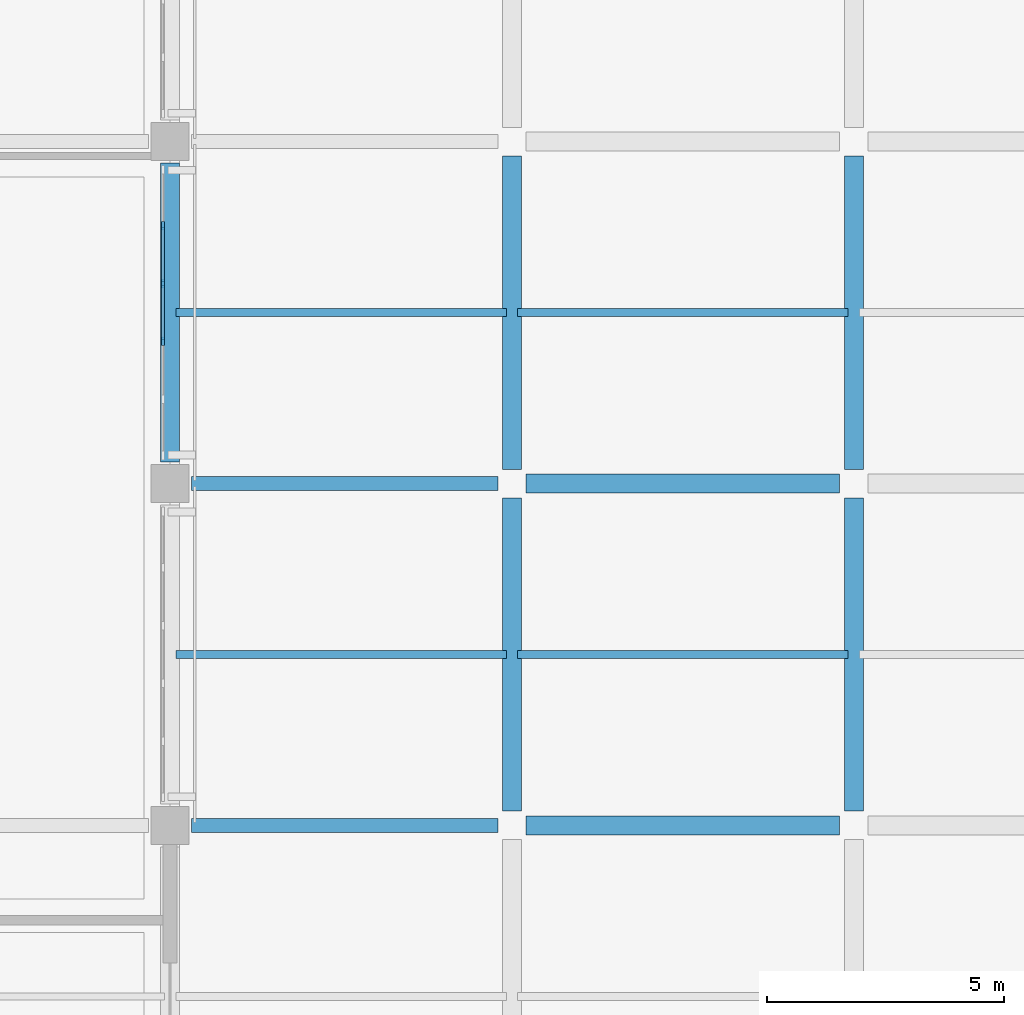
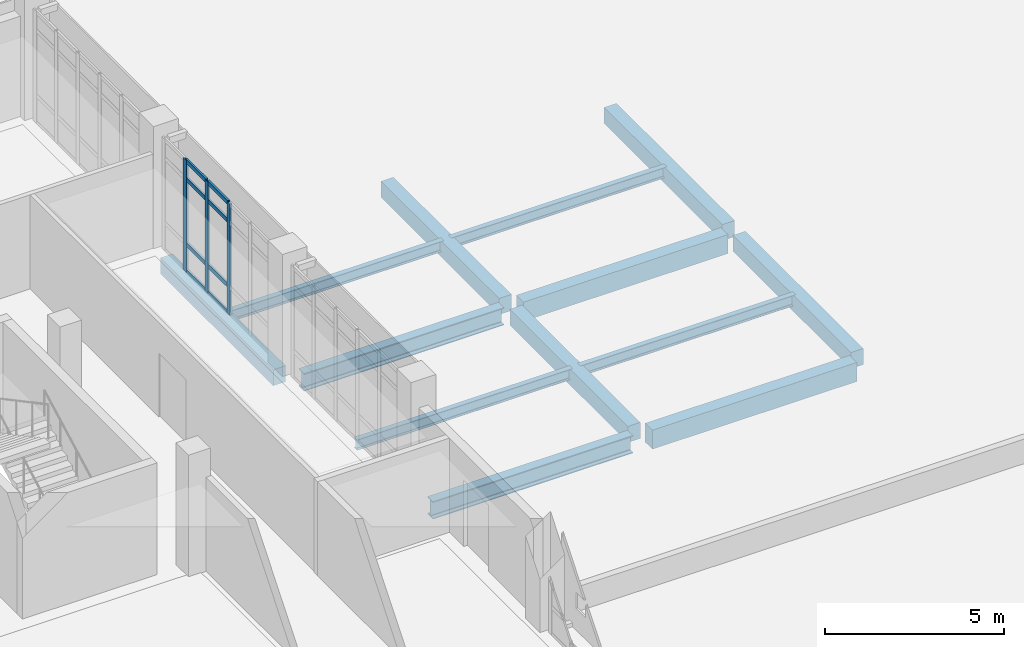
# One storey, part 10 of 51: 13 beams, 11 members, 1 element without a shape of its own.
"""IFC4 building model written with IfcOpenShell, lengths in metres."""

from ifc_helpers import new_model, si_unit, direction, frame, origin, origin_2d, place, context, subcontext, project, spatial, rectangle, i_section, extrude, material, layer, layer_set, material_profile, profile_set, type_object, element, aggregate, save


model = new_model("IFC4")

# Units and contexts
model_context = context("Model", 3, precision=1e-05, world=origin(), true_north=direction((0.0, 1.0)))
body_context = subcontext(model_context, "Body", "Model", "MODEL_VIEW")
ifc_project = project(units=[si_unit("LENGTHUNIT", "METRE"), si_unit("AREAUNIT", "SQUARE_METRE"), si_unit("VOLUMEUNIT", "CUBIC_METRE"), si_unit("PLANEANGLEUNIT", "RADIAN"), si_unit("MASSUNIT", "GRAM", prefix="KILO")], contexts=[model_context])

# Site, building, storey
site_placement = place(None, origin())
site = spatial("IfcSite", under=ifc_project, at=site_placement, CompositionType="ELEMENT")
building_placement = place(site_placement, origin())
building = spatial("IfcBuilding", under=site, at=building_placement, Name="Valkovuoma Quantum and Materials Research Institute", CompositionType="ELEMENT")
storey_placement = place(building_placement, frame((0.0, 0.0, 17.280029296875)))
storey = spatial("IfcBuildingStorey", under=building, at=storey_placement, Name="L04", CompositionType="ELEMENT", Elevation=17.280029296875)

# Beams
ifc_material_1 = material(Name="Steel S355J2", Category="steel")
ifc_material_profile_1 = material_profile(ifc_material_1, i_section(OverallWidth=0.300048828125, OverallDepth=0.60009765625, WebThickness=0.015380859375, FlangeThickness=0.030029296875, FilletRadius=0.027099609375, at=origin_2d()), Name="Steel S355J2")
ifc_profile_set_1 = profile_set([ifc_material_profile_1], Name="Steel S355J2")
beam_type_1 = type_object("IfcBeamType", Name="Beam-B-HEB600", PredefinedType="BEAM", material=ifc_profile_set_1)
for number, where, z_axis, x_axis, name in (
    (1, (14.85009765625, 72.0, -0.650146484375), (1.0, 0.0, 0.0), (0.0, 1.0, 0.0), "L04 beam X-1854"),
    (2, (14.85009765625, 79.199951171875, -0.650146484375), (1.0, 0.0, 0.0), (0.0, 1.0, 0.0), "L04 beam X-1863"),
):
    element("IfcBeam", number, at=place(storey_placement, frame(where, z_axis=z_axis, x_axis=x_axis)), inside=storey, type_object=beam_type_1, Name=name, PredefinedType="BEAM", context=body_context, shape_type="SweptSolid", body=[
        extrude(i_section(OverallWidth=0.300048828125, OverallDepth=0.60009765625, WebThickness=0.015380859375, FlangeThickness=0.030029296875, FilletRadius=0.027099609375, at=origin_2d()), origin(), (0.0, 0.0, 1.0), 6.449951171875),
    ])
ifc_material_2 = material(Name="Steel S355J2", Category="steel")
ifc_material_profile_2 = material_profile(ifc_material_2, i_section(OverallWidth=0.169921875, OverallDepth=0.360107421875, WebThickness=0.008056640625, FlangeThickness=0.0126953125, FilletRadius=0.01806640625, at=origin_2d()), Name="Steel S355J2")
ifc_profile_set_2 = profile_set([ifc_material_profile_2], Name="Steel S355J2")
beam_type_2 = type_object("IfcBeamType", Name="Beam-B-JST360", PredefinedType="JOIST", material=ifc_profile_set_2)
for number, where, z_axis, x_axis, name in (
    (3, (14.52001953125, 75.60009765625, -0.530029296875), (1.0, 0.0, 0.0), (0.0, 1.0, 0.0), "L04 floor joist 2056"),
    (4, (21.719970703125, 75.60009765625, -0.530029296875), (1.0, 0.0, 0.0), (0.0, 1.0, 0.0), "L04 floor joist 2057"),
    (5, (14.52001953125, 82.800048828125, -0.530029296875), (1.0, 0.0, 0.0), (0.0, 1.0, 0.0), "L04 floor joist 2065"),
    (6, (21.719970703125, 82.800048828125, -0.530029296875), (1.0, 0.0, 0.0), (0.0, 1.0, 0.0), "L04 floor joist 2066"),
):
    element("IfcBeam", number, at=place(storey_placement, frame(where, z_axis=z_axis, x_axis=x_axis)), inside=storey, type_object=beam_type_2, Name=name, PredefinedType="JOIST", context=body_context, shape_type="SweptSolid", body=[
        extrude(i_section(OverallWidth=0.169921875, OverallDepth=0.360107421875, WebThickness=0.008056640625, FlangeThickness=0.0126953125, FilletRadius=0.01806640625, at=origin_2d()), origin(), (0.0, 0.0, 1.0), 6.9599609375),
    ])
ifc_material_3 = material(Name="Concrete C40/50", Category="concrete")
ifc_material_profile_3 = material_profile(ifc_material_3, rectangle(XDim=0.39990234375, YDim=0.550048828125, at=origin_2d()), Name="Concrete C40/50")
ifc_profile_set_3 = profile_set([ifc_material_profile_3], Name="Concrete C40/50")
beam_type_3 = type_object("IfcBeamType", Name="Beam-B-RC550", PredefinedType="BEAM", material=ifc_profile_set_3)
beam_1_placement = place(storey_placement, frame((14.39990234375, 79.64990234375, -0.625), z_axis=(0.0, 1.0, 0.0), x_axis=(-1.0, 0.0, 0.0)))
element("IfcBeam", 7, at=beam_1_placement, inside=storey, type_object=beam_type_3, Name="L04 beam Y-1928", PredefinedType="BEAM", context=body_context, shape_type="SweptSolid", body=[
    extrude(rectangle(XDim=0.39990234375, YDim=0.550048828125, at=origin_2d()), origin(), (0.0, 0.0, 1.0), 6.300048828125),
])
beam_2_placement = place(storey_placement, frame((21.60009765625, 72.300048828125, -0.625), z_axis=(0.0, 1.0, 0.0), x_axis=(-1.0, 0.0, 0.0)))
element("IfcBeam", 8, at=beam_2_placement, inside=storey, type_object=beam_type_3, Name="L04 beam Y-1933", PredefinedType="BEAM", context=body_context, shape_type="SweptSolid", body=[
    extrude(rectangle(XDim=0.39990234375, YDim=0.550048828125, at=origin_2d()), origin(), (0.0, 0.0, 1.0), 6.599853515625),
])
beam_3_placement = place(storey_placement, frame((21.60009765625, 79.5, -0.625), z_axis=(0.0, 1.0, 0.0), x_axis=(-1.0, 0.0, 0.0)))
element("IfcBeam", 9, at=beam_3_placement, inside=storey, type_object=beam_type_3, Name="L04 beam Y-1934", PredefinedType="BEAM", context=body_context, shape_type="SweptSolid", body=[
    extrude(rectangle(XDim=0.39990234375, YDim=0.550048828125, at=origin_2d()), origin(), (0.0, 0.0, 1.0), 6.60009765625),
])
beam_4_placement = place(storey_placement, frame((28.800048828125, 72.300048828125, -0.625), z_axis=(0.0, 1.0, 0.0), x_axis=(-1.0, 0.0, 0.0)))
element("IfcBeam", 10, at=beam_4_placement, inside=storey, type_object=beam_type_3, Name="L04 beam Y-1939", PredefinedType="BEAM", context=body_context, shape_type="SweptSolid", body=[
    extrude(rectangle(XDim=0.39990234375, YDim=0.550048828125, at=origin_2d()), origin(), (0.0, 0.0, 1.0), 6.599853515625),
])
beam_5_placement = place(storey_placement, frame((28.800048828125, 79.5, -0.625), z_axis=(0.0, 1.0, 0.0), x_axis=(-1.0, 0.0, 0.0)))
element("IfcBeam", 11, at=beam_5_placement, inside=storey, type_object=beam_type_3, Name="L04 beam Y-1940", PredefinedType="BEAM", context=body_context, shape_type="SweptSolid", body=[
    extrude(rectangle(XDim=0.39990234375, YDim=0.550048828125, at=origin_2d()), origin(), (0.0, 0.0, 1.0), 6.60009765625),
])
ifc_material_4 = material(Name="Concrete C40/50", Category="concrete")
ifc_material_profile_4 = material_profile(ifc_material_4, rectangle(XDim=0.39990234375, YDim=0.64990234375, at=origin_2d()), Name="Concrete C40/50")
ifc_profile_set_4 = profile_set([ifc_material_profile_4], Name="Concrete C40/50")
beam_type_4 = type_object("IfcBeamType", Name="Beam-B-RC650", PredefinedType="BEAM", material=ifc_profile_set_4)
for number, where, z_axis, x_axis, name in (
    (12, (21.89990234375, 72.0, -0.675048828125), (1.0, 0.0, 0.0), (0.0, 1.0, 0.0), "L04 beam X-1855"),
    (13, (21.89990234375, 79.199951171875, -0.675048828125), (1.0, 0.0, 0.0), (0.0, 1.0, 0.0), "L04 beam X-1864"),
):
    element("IfcBeam", number, at=place(storey_placement, frame(where, z_axis=z_axis, x_axis=x_axis)), inside=storey, type_object=beam_type_4, Name=name, PredefinedType="BEAM", context=body_context, shape_type="SweptSolid", body=[
        extrude(rectangle(XDim=0.39990234375, YDim=0.64990234375, at=origin_2d()), origin(), (0.0, 0.0, 1.0), 6.60009765625),
    ])

# Curtain wall, members
ifc_material_5 = material(Name="Thermally broken aluminium and triple low-E glazing", Category="aluminium")
ifc_layer = layer(ifc_material_5, 0.219970703125)
ifc_layer_set = layer_set([ifc_layer], Name="Thermally broken aluminium and triple low-E glazing")
curtain_wall_type = type_object("IfcCurtainWallType", Name="CW-CW-01", PredefinedType="NOTDEFINED", material=ifc_layer_set)
curtain_wall_placement = place(storey_placement, origin())
curtain_wall = element("IfcCurtainWall", 14, at=curtain_wall_placement, inside=storey, type_object=curtain_wall_type, Name="L04 curtain wall 052", PredefinedType="NOTDEFINED")
ifc_material_6 = material(Name="Anodised aluminium 6060-T66", Category="aluminium")
ifc_material_profile_5 = material_profile(ifc_material_6, rectangle(XDim=0.06494140625, YDim=0.179931640625, at=origin_2d()), Name="Anodised aluminium 6060-T66")
ifc_profile_set_5 = profile_set([ifc_material_profile_5], Name="Anodised aluminium 6060-T66")
member_type_1 = type_object("IfcMemberType", Name="CWMull-CWM-01", PredefinedType="MULLION", material=ifc_profile_set_5)
member_1_placement = place(storey_placement, frame((14.25, 82.19140625, 0.0), z_axis=(0.0, 0.0, 1.0), x_axis=(-1.0, 0.0, 0.0)))
member_1 = element("IfcMember", 15, at=member_1_placement, type_object=member_type_1, Name="CW-01 mullion 3", PredefinedType="MULLION", context=body_context, shape_type="SweptSolid", body=[
    extrude(rectangle(XDim=0.06494140625, YDim=0.179931640625, at=origin_2d()), origin(), (0.0, 0.0, 1.0), 3.81005859375),
])
member_2_placement = place(storey_placement, frame((14.25, 83.40869140625, 0.0), z_axis=(0.0, 0.0, 1.0), x_axis=(-1.0, 0.0, 0.0)))
member_2 = element("IfcMember", 16, at=member_2_placement, type_object=member_type_1, Name="CW-01 mullion 4", PredefinedType="MULLION", context=body_context, shape_type="SweptSolid", body=[
    extrude(rectangle(XDim=0.06494140625, YDim=0.179931640625, at=origin_2d()), origin(), (0.0, 0.0, 1.0), 3.81005859375),
])
member_3_placement = place(storey_placement, frame((14.25, 84.625732421875, 0.0), z_axis=(0.0, 0.0, 1.0), x_axis=(-1.0, 0.0, 0.0)))
member_3 = element("IfcMember", 17, at=member_3_placement, type_object=member_type_1, Name="CW-01 mullion 5", PredefinedType="MULLION", context=body_context, shape_type="SweptSolid", body=[
    extrude(rectangle(XDim=0.06494140625, YDim=0.179931640625, at=origin_2d()), origin(), (0.0, 0.0, 1.0), 3.81005859375),
])
ifc_material_7 = material(Name="Anodised aluminium 6060-T66", Category="aluminium")
ifc_material_profile_6 = material_profile(ifc_material_7, rectangle(XDim=0.06494140625, YDim=0.139892578125, at=origin_2d()), Name="Anodised aluminium 6060-T66")
ifc_profile_set_6 = profile_set([ifc_material_profile_6], Name="Anodised aluminium 6060-T66")
member_type_2 = type_object("IfcMemberType", Name="CWTran-CWT-01", PredefinedType="USERDEFINED", material=ifc_profile_set_6)
member_4_placement = place(storey_placement, frame((14.25, 82.223876953125, 0.032470703125), z_axis=(0.0, 1.0, 0.0), x_axis=(-1.0, 0.0, 0.0)))
member_4 = element("IfcMember", 18, at=member_4_placement, type_object=member_type_2, Name="CW-01 transom 3.1", ObjectType="TRANSOM", PredefinedType="USERDEFINED", context=body_context, shape_type="SweptSolid", body=[
    extrude(rectangle(XDim=0.06494140625, YDim=0.139892578125, at=origin_2d()), origin(), (0.0, 0.0, 1.0), 1.152099609375),
])
member_5_placement = place(storey_placement, frame((14.25, 82.223876953125, 0.949951171875), z_axis=(0.0, 1.0, 0.0), x_axis=(-1.0, 0.0, 0.0)))
member_5 = element("IfcMember", 19, at=member_5_placement, type_object=member_type_2, Name="CW-01 transom 3.2", ObjectType="TRANSOM", PredefinedType="USERDEFINED", context=body_context, shape_type="SweptSolid", body=[
    extrude(rectangle(XDim=0.06494140625, YDim=0.139892578125, at=origin_2d()), origin(), (0.0, 0.0, 1.0), 1.152099609375),
])
member_6_placement = place(storey_placement, frame((14.25, 82.223876953125, 3.159912109375), z_axis=(0.0, 1.0, 0.0), x_axis=(-1.0, 0.0, 0.0)))
member_6 = element("IfcMember", 20, at=member_6_placement, type_object=member_type_2, Name="CW-01 transom 3.3", ObjectType="TRANSOM", PredefinedType="USERDEFINED", context=body_context, shape_type="SweptSolid", body=[
    extrude(rectangle(XDim=0.06494140625, YDim=0.139892578125, at=origin_2d()), origin(), (0.0, 0.0, 1.0), 1.152099609375),
])
member_7_placement = place(storey_placement, frame((14.25, 82.223876953125, 3.777587890625), z_axis=(0.0, 1.0, 0.0), x_axis=(-1.0, 0.0, 0.0)))
member_7 = element("IfcMember", 21, at=member_7_placement, type_object=member_type_2, Name="CW-01 transom 3.4", ObjectType="TRANSOM", PredefinedType="USERDEFINED", context=body_context, shape_type="SweptSolid", body=[
    extrude(rectangle(XDim=0.06494140625, YDim=0.139892578125, at=origin_2d()), origin(), (0.0, 0.0, 1.0), 1.152099609375),
])
member_8_placement = place(storey_placement, frame((14.25, 83.441162109375, 0.032470703125), z_axis=(0.0, 1.0, 0.0), x_axis=(-1.0, 0.0, 0.0)))
member_8 = element("IfcMember", 22, at=member_8_placement, type_object=member_type_2, Name="CW-01 transom 4.1", ObjectType="TRANSOM", PredefinedType="USERDEFINED", context=body_context, shape_type="SweptSolid", body=[
    extrude(rectangle(XDim=0.06494140625, YDim=0.139892578125, at=origin_2d()), origin(), (0.0, 0.0, 1.0), 1.152099609375),
])
member_9_placement = place(storey_placement, frame((14.25, 83.441162109375, 0.949951171875), z_axis=(0.0, 1.0, 0.0), x_axis=(-1.0, 0.0, 0.0)))
member_9 = element("IfcMember", 23, at=member_9_placement, type_object=member_type_2, Name="CW-01 transom 4.2", ObjectType="TRANSOM", PredefinedType="USERDEFINED", context=body_context, shape_type="SweptSolid", body=[
    extrude(rectangle(XDim=0.06494140625, YDim=0.139892578125, at=origin_2d()), origin(), (0.0, 0.0, 1.0), 1.152099609375),
])
member_10_placement = place(storey_placement, frame((14.25, 83.441162109375, 3.159912109375), z_axis=(0.0, 1.0, 0.0), x_axis=(-1.0, 0.0, 0.0)))
member_10 = element("IfcMember", 24, at=member_10_placement, type_object=member_type_2, Name="CW-01 transom 4.3", ObjectType="TRANSOM", PredefinedType="USERDEFINED", context=body_context, shape_type="SweptSolid", body=[
    extrude(rectangle(XDim=0.06494140625, YDim=0.139892578125, at=origin_2d()), origin(), (0.0, 0.0, 1.0), 1.152099609375),
])
member_11_placement = place(storey_placement, frame((14.25, 83.441162109375, 3.777587890625), z_axis=(0.0, 1.0, 0.0), x_axis=(-1.0, 0.0, 0.0)))
member_11 = element("IfcMember", 25, at=member_11_placement, type_object=member_type_2, Name="CW-01 transom 4.4", ObjectType="TRANSOM", PredefinedType="USERDEFINED", context=body_context, shape_type="SweptSolid", body=[
    extrude(rectangle(XDim=0.06494140625, YDim=0.139892578125, at=origin_2d()), origin(), (0.0, 0.0, 1.0), 1.152099609375),
])
aggregate(curtain_wall, [member_1, member_2, member_3, member_4, member_5, member_6, member_7, member_8, member_9, member_10, member_11])

save(model, "model.ifc")
